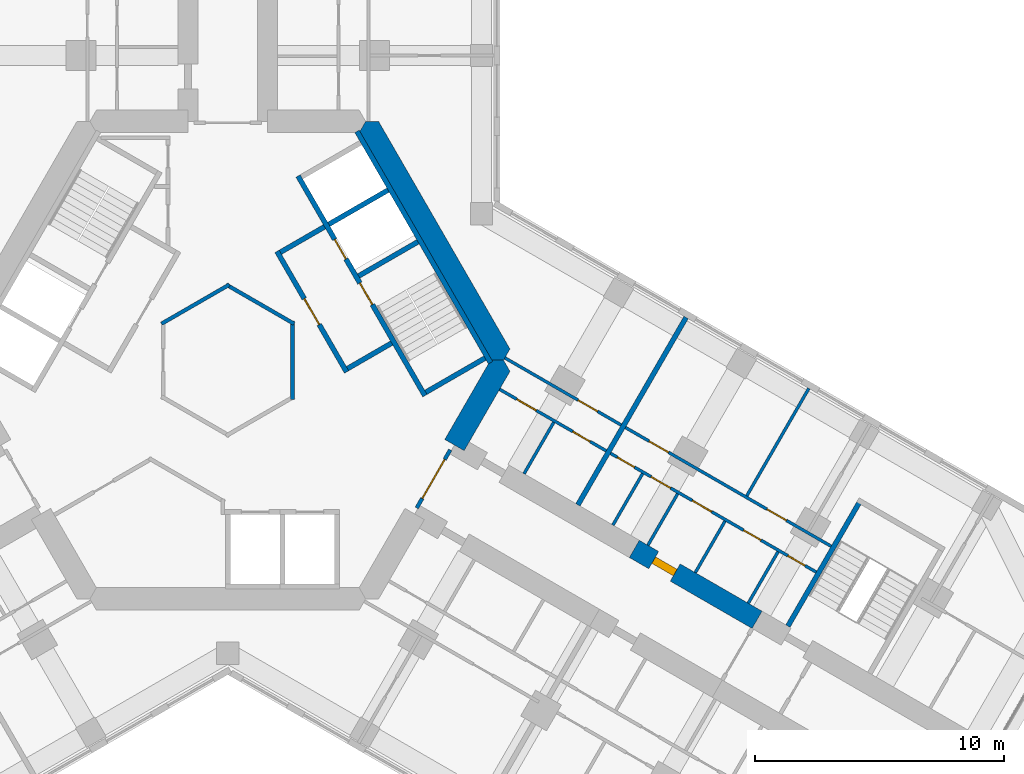
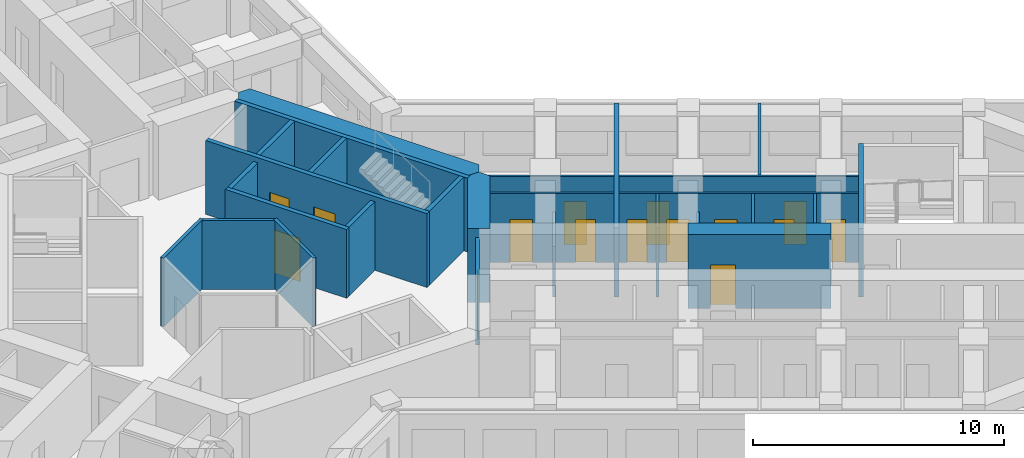
# One storey, part 15 of 19: 27 walls, 15 doors, 15 openings.
"""IFC4 building model written with IfcOpenShell, lengths in metres."""

import ifcopenshell
import ifcopenshell.guid

model = None  # the IFC model being written
_history = None  # IfcOwnerHistory: only IFC2X3 demands one
_inside = {}  # id of a spatial element -> (the spatial element, [elements in it])
_under = {}  # id of a project, library or spatial element -> (it, [spatial elements below it])
_declared = {}  # id of a project -> (the project, [libraries it declares])
_typed = {}  # id of a type object -> (the type object, [elements of that type])
_made_of = {}  # id of a material, layer set ... -> (it, [elements and type objects made of it])


def new_model(schema):
    """Start an empty IFC model of exactly this schema.

    Asked for "IFC4X3", IfcOpenShell would pick the latest addendum, in which some entities
    have other attributes; the version numbers below select the first issue.
    IFC2X3 requires an IfcOwnerHistory on every rooted entity: one is made here for all.
    """
    global model, _history
    if schema == "IFC4X3":
        model = ifcopenshell.file(schema_version=(4, 3, 0, 0))
    else:
        model = ifcopenshell.file(schema=schema)
    _inside.clear()
    _under.clear()
    _declared.clear()
    _typed.clear()
    _made_of.clear()
    _history = None
    if model.schema == "IFC2X3":
        org = make("IfcOrganization", Name="unknown")
        user = make(
            "IfcPersonAndOrganization",
            ThePerson=make("IfcPerson", FamilyName="unknown"),
            TheOrganization=org,
        )
        app = make(
            "IfcApplication",
            ApplicationDeveloper=org,
            Version="unknown",
            ApplicationFullName="unknown",
            ApplicationIdentifier="unknown",
        )
        _history = make(
            "IfcOwnerHistory",
            OwningUser=user,
            OwningApplication=app,
            ChangeAction="ADDED",
            CreationDate=0,
        )
    return model


def make(cls, **values):
    """One entity of the class cls with the attributes given. An attribute that is None is left unset."""
    return model.create_entity(
        cls, **{name: value for name, value in values.items() if value is not None}
    )


def rooted(cls, **values):
    """An entity with a GlobalId (a new one), such as an element, a storey or a relation."""
    return make(cls, GlobalId=ifcopenshell.guid.new(), OwnerHistory=_history, **values)


def si_unit(unit_type, name, prefix=None):
    """IfcSIUnit, for example si_unit("LENGTHUNIT", "METRE", prefix="MILLI")."""
    return make("IfcSIUnit", UnitType=unit_type, Prefix=prefix, Name=name)


def assignment(units):
    """IfcUnitAssignment: the units of a project."""
    return None if units is None else make("IfcUnitAssignment", Units=units)


def point(xyz):
    """IfcCartesianPoint."""
    return None if xyz is None else make("IfcCartesianPoint", Coordinates=xyz)


def direction(xyz):
    """IfcDirection."""
    return None if xyz is None else make("IfcDirection", DirectionRatios=xyz)


def frame(location, z_axis=None, x_axis=None):
    """IfcAxis2Placement3D, a coordinate frame: its origin and axes. An axis left out is left unset."""
    return make(
        "IfcAxis2Placement3D",
        Location=point(location),
        Axis=direction(z_axis),
        RefDirection=direction(x_axis),
    )


def frame_2d(location, x_axis=None):
    """IfcAxis2Placement2D, a coordinate frame in the plane: its origin and x axis."""
    return make(
        "IfcAxis2Placement2D", Location=point(location), RefDirection=direction(x_axis)
    )


def origin():
    """The frame at (0, 0, 0) with its axes left unset."""
    return frame((0.0, 0.0, 0.0))


def place(relative_to, where):
    """IfcLocalPlacement: puts the frame where relative to a parent placement (None: the world)."""
    return make(
        "IfcLocalPlacement", PlacementRelTo=relative_to, RelativePlacement=where
    )


def context(
    kind, dimensions, precision=None, world=None, true_north=None, identifier=None
):
    """IfcGeometricRepresentationContext, for example the 3D "Model" context."""
    return make(
        "IfcGeometricRepresentationContext",
        ContextIdentifier=identifier,
        ContextType=kind,
        CoordinateSpaceDimension=dimensions,
        Precision=precision,
        WorldCoordinateSystem=world,
        TrueNorth=true_north,
    )


def subcontext(parent, identifier, kind, view, scale=None):
    """IfcGeometricRepresentationSubContext, for example "Body" below "Model"."""
    return make(
        "IfcGeometricRepresentationSubContext",
        ContextIdentifier=identifier,
        ContextType=kind,
        ParentContext=parent,
        TargetScale=scale,
        TargetView=view,
    )


def project(units=None, contexts=None):
    """IfcProject with its units and contexts."""
    return rooted(
        "IfcProject",
        Name="project",
        RepresentationContexts=contexts,
        UnitsInContext=assignment(units),
    )


def spatial(cls, under=None, at=None, **own):
    """A site, building, storey or space (cls), placed at a placement, below another one or the project."""
    s = rooted(cls, ObjectPlacement=at, **own)
    if under is not None:
        _under.setdefault(under.id(), (under, []))[1].append(s)
    return s


def polyline(points):
    """IfcPolyline through the points."""
    return make("IfcPolyline", Points=[point(p) for p in points])


def profile(cls, at=None, kind="AREA", **sizes):
    """A parametric profile (cls). Its sizes go by their IFC names, for example OverallWidth=200.0."""
    return make(cls, ProfileType=kind, Position=at, **sizes)


def rectangle(**sizes):
    """IfcRectangleProfileDef."""
    return profile("IfcRectangleProfileDef", **sizes)


def outline(outer, holes=None, kind="AREA"):
    """IfcArbitraryClosedProfileDef: a profile drawn as a closed curve; with holes, ...WithVoids."""
    if holes is None:
        return make("IfcArbitraryClosedProfileDef", ProfileType=kind, OuterCurve=outer)
    return make(
        "IfcArbitraryProfileDefWithVoids",
        ProfileType=kind,
        OuterCurve=outer,
        InnerCurves=holes,
    )


def extrude(swept, where, along, depth):
    """IfcExtrudedAreaSolid: the profile swept, set in the frame where, extruded along a direction by depth."""
    return make(
        "IfcExtrudedAreaSolid",
        SweptArea=swept,
        Position=where,
        ExtrudedDirection=direction(along),
        Depth=depth,
    )


def shape(context_of_items, identifier, shape_type, items):
    """IfcShapeRepresentation: the items that make up one representation, for example the "Body"."""
    return make(
        "IfcShapeRepresentation",
        ContextOfItems=context_of_items,
        RepresentationIdentifier=identifier,
        RepresentationType=shape_type,
        Items=items,
    )


def material(Name=None, Category=None):
    """IfcMaterial."""
    return make("IfcMaterial", Name=Name, Category=Category)


def layer(
    of_material, thickness, ventilated=None, Name=None, Category=None, Priority=None
):
    """IfcMaterialLayer: one layer of a wall or slab, of a material (None: an air gap)."""
    return make(
        "IfcMaterialLayer",
        Material=of_material,
        LayerThickness=thickness,
        IsVentilated=ventilated,
        Name=Name,
        Category=Category,
        Priority=Priority,
    )


def layer_set(layers, Name=None):
    """IfcMaterialLayerSet."""
    return make("IfcMaterialLayerSet", MaterialLayers=layers, LayerSetName=Name)


def made_of(thing, what):
    """Note that an element or type object is made of a material, layer set ...; save() writes the relation."""
    if what is not None:
        _made_of.setdefault(what.id(), (what, []))[1].append(thing)
    return thing


def type_object(cls, material=None, **own):
    """A type object (cls), such as IfcWallType, which elements share."""
    return made_of(rooted(cls, **own), material)


def element(
    cls,
    number,
    at=None,
    inside=None,
    cuts=None,
    type_object=None,
    material=None,
    context=None,
    identifier="Body",
    shape_type=None,
    held_by="IfcProductDefinitionShape",
    body=None,
    shapes=None,
    **own,
):
    """One element of the class cls, such as IfcWall. Its Tag is "e" and its number.

    at: its placement. inside: the storey or other place that contains it. cuts: it is an
    opening in that element (IfcRelVoidsElement). A single representation is given by context,
    identifier, shape_type and body (its items); several are given by shapes. held_by: the class
    of the entity that holds the representations. save() writes the other relations.
    """
    e = rooted(cls, Tag="e%d" % number, ObjectPlacement=at, **own)
    if body is not None:
        shapes = [shape(context, identifier, shape_type, body)]
    if shapes is not None:
        e.Representation = make(held_by, Representations=shapes)
    if inside is not None:
        _inside.setdefault(inside.id(), (inside, []))[1].append(e)
    if cuts is not None:
        rooted(
            "IfcRelVoidsElement", RelatingBuildingElement=cuts, RelatedOpeningElement=e
        )
    if type_object is not None:
        _typed.setdefault(type_object.id(), (type_object, []))[1].append(e)
    return made_of(e, material)


def fill(opening, filler):
    """IfcRelFillsElement: the door or window that sits in an opening."""
    return rooted(
        "IfcRelFillsElement",
        RelatingOpeningElement=opening,
        RelatedBuildingElement=filler,
    )


def aggregate(whole, parts):
    """IfcRelAggregates: a whole, such as a stair, and the parts it consists of."""
    return rooted("IfcRelAggregates", RelatingObject=whole, RelatedObjects=parts)


def save(model, path):
    """Write the relations noted so far, then the file.

    IfcRelAggregates (storeys below a building ...), IfcRelContainedInSpatialStructure (elements
    in a storey), IfcRelDefinesByType, IfcRelAssociatesMaterial and IfcRelDeclares: one each for
    every whole, place, type object, material and project.
    """
    for whole, parts in _under.values():
        aggregate(whole, parts)
    for where, things in _inside.values():
        rooted(
            "IfcRelContainedInSpatialStructure",
            RelatedElements=things,
            RelatingStructure=where,
        )
    for kind, things in _typed.values():
        rooted("IfcRelDefinesByType", RelatedObjects=things, RelatingType=kind)
    for what, things in _made_of.values():
        rooted("IfcRelAssociatesMaterial", RelatedObjects=things, RelatingMaterial=what)
    for by, libraries in _declared.values():
        rooted("IfcRelDeclares", RelatingContext=by, RelatedDefinitions=libraries)
    model.write(path)


model = new_model("IFC4")

# Units and contexts
model_context = context("Model", 3, precision=1e-05, world=origin(), true_north=direction((0.0, 1.0)))
body_context = subcontext(model_context, "Body", "Model", "MODEL_VIEW")
ifc_project = project(units=[si_unit("LENGTHUNIT", "METRE"), si_unit("AREAUNIT", "SQUARE_METRE"), si_unit("VOLUMEUNIT", "CUBIC_METRE"), si_unit("PLANEANGLEUNIT", "RADIAN"), si_unit("MASSUNIT", "GRAM", prefix="KILO")], contexts=[model_context])

# Site, building, storey
site_placement = place(None, origin())
site = spatial("IfcSite", under=ifc_project, at=site_placement, CompositionType="ELEMENT")
building_placement = place(site_placement, origin())
building = spatial("IfcBuilding", under=site, at=building_placement, Name="Kosmar Iwan School Tower", CompositionType="ELEMENT")
storey_placement = place(building_placement, frame((0.0, 0.0, 134.60009765625)))
storey = spatial("IfcBuildingStorey", under=building, at=storey_placement, Name="L33", CompositionType="ELEMENT", Elevation=134.60009765625)

# Walls
ifc_material_1 = material(Name="Gypsum board on steel studs, fire-rated", Category="steel")
ifc_layer_1 = layer(ifc_material_1, 0.14990234375)
ifc_layer_set_1 = layer_set([ifc_layer_1], Name="Core room partition 150")
wall_type_1 = type_object("IfcWallType", Name="Core room partition 150", PredefinedType="PARTITIONING", material=ifc_layer_set_1)
for number, where, z_axis, x_axis, name in (
    (1, (-2.6650390625, 1.463623046875, 0.0), (0.0, 0.0, 1.0), (0.866023080072, 0.500004024767, 0.0), "Core room partition L33-CW11"),
    (2, (-0.06494140625, 3.039794921875, 0.0), (0.0, 0.0, 1.0), (0.866023080072, -0.500004024767, 0.0), "Core room partition L33-CW12"),
    (3, (2.60009765625, 1.576171875, 0.0), (0.0, 0.0, 1.0), (0.0, -1.0, 0.0), "Core room partition L33-CW13"),
):
    element("IfcWall", number, at=place(storey_placement, frame(where, z_axis=z_axis, x_axis=x_axis)), inside=storey, type_object=wall_type_1, Name=name, PredefinedType="PARTITIONING", context=body_context, shape_type="SweptSolid", body=[
        extrude(rectangle(XDim=3.15234375, YDim=0.14990234375, at=frame_2d((1.576171875, 0.0))), origin(), (0.0, 0.0, 1.0), 3.349853515625),
    ])
ifc_material_2 = material(Name="Concrete C50/60", Category="concrete")
ifc_layer_2 = layer(ifc_material_2, 0.89990234375)
ifc_layer_set_2 = layer_set([ifc_layer_2], Name="Core wall 900")
wall_type_2 = type_object("IfcWallType", Name="Core wall 900", PredefinedType="SHEAR", material=ifc_layer_set_2)
wall_1_placement = place(storey_placement, origin())
element("IfcWall", 4, at=wall_1_placement, inside=storey, type_object=wall_type_2, Name="Core wall F030", PredefinedType="SHEAR", context=body_context, shape_type="SweptSolid", body=[
    extrude(outline(polyline([(10.5654296875, 0.0), (11.085205078125, 0.0), (11.344970703125, 0.449951171875), (6.062255859375, 9.60009765625), (5.54248046875, 9.60009765625), (5.28271484375, 9.14990234375), (10.5654296875, 0.0)])), origin(), (0.0, 0.0, 1.0), 3.599853515625),
])
wall_2_placement = place(storey_placement, origin())
element("IfcWall", 5, at=wall_2_placement, inside=storey, type_object=wall_type_2, Name="Core wall F330b", PredefinedType="SHEAR", context=body_context, shape_type="SweptSolid", body=[
    extrude(outline(polyline([(9.503662109375, -3.639404296875), (11.344970703125, -0.449951171875), (11.085205078125, 0.0), (10.5654296875, 0.0), (8.72412109375, -3.189453125), (9.503662109375, -3.639404296875)])), origin(), (0.0, 0.0, 1.0), 3.599853515625),
])

# Wall, opening, door
ifc_material_3 = material(Name="Concrete C50/60", Category="concrete")
ifc_layer_3 = layer(ifc_material_3, 0.800048828125)
ifc_layer_set_3 = layer_set([ifc_layer_3], Name="Corridor buttress wall 800")
wall_type_3 = type_object("IfcWallType", Name="Corridor buttress wall 800", PredefinedType="SHEAR", material=ifc_layer_set_3)
wall_3_placement = place(storey_placement, frame((16.34521484375, -7.58935546875, 0.0), z_axis=(0.0, 0.0, 1.0), x_axis=(0.866015111908, -0.50001782563, 0.0)))
wall_3 = element("IfcWall", 6, at=wall_3_placement, inside=storey, type_object=wall_type_3, Name="Corridor wall CL bay 2", PredefinedType="SHEAR", context=body_context, shape_type="SweptSolid", body=[
    extrude(rectangle(XDim=5.699951171875, YDim=0.800048828125, at=frame_2d((2.85009765625, 0.0))), origin(), (0.0, 0.0, 1.0), 3.599853515625),
])
opening_1_placement = place(wall_3_placement, frame((0.89990234375, 0.0, 0.0)))
opening_1 = element("IfcOpeningElement", 7, at=opening_1_placement, cuts=wall_3, Name="Opening D1", PredefinedType="OPENING", context=body_context, shape_type="SweptSolid", body=[
    extrude(rectangle(XDim=1.0, YDim=2.10009765625, at=frame_2d((0.5, 1.050048828125))), frame((0.0, 0.412109375, 0.0), z_axis=(0.0, -1.0, 0.0), x_axis=(1.0, 0.0, 0.0)), (0.0, 0.0, 1.0), 0.823974609375),
])
ifc_material_4 = material(Name="Timber fire door in steel frame", Category="steel")
door_type_1 = type_object("IfcDoorType", Name="Flat entrance door 1000x2100", OperationType="SINGLE_SWING_LEFT", PredefinedType="DOOR", material=ifc_material_4)
door_1_placement = place(opening_1_placement, origin())
door_1 = element("IfcDoor", 8, at=door_1_placement, inside=storey, type_object=door_type_1, Name="Flat L33-CL2 entrance door", OperationType="SINGLE_SWING_LEFT", OverallHeight=2.10009765625, OverallWidth=1.0, PredefinedType="DOOR", context=body_context, shape_type="SweptSolid", body=[
    extrude(rectangle(XDim=1.0, YDim=2.10009765625, at=frame_2d((0.5, 1.050048828125))), frame((0.0, 0.14990234375, 0.0), z_axis=(0.0, -1.0, 0.0), x_axis=(1.0, 0.0, 0.0)), (0.0, 0.0, 1.0), 0.300048828125),
])
fill(opening_1, door_1)

ifc_material_5 = material(Name="Steel framed glazed screen", Category="steel")
ifc_layer_4 = layer(ifc_material_5, 0.14990234375)
ifc_layer_set_4 = layer_set([ifc_layer_4], Name="Corridor screen wall 150")
wall_type_4 = type_object("IfcWallType", Name="Corridor screen wall 150", PredefinedType="PARTITIONING", material=ifc_layer_set_4)
wall_4_placement = place(storey_placement, frame((7.595458984375, -5.944091796875, 0.0), z_axis=(0.0, 0.0, 1.0), x_axis=(0.500048589285, 0.86599734893, 0.0)))
wall_4 = element("IfcWall", 9, at=wall_4_placement, inside=storey, type_object=wall_type_4, Name="Corridor screen C L33", PredefinedType="PARTITIONING", context=body_context, shape_type="SweptSolid", body=[
    extrude(rectangle(XDim=2.699951171875, YDim=0.14990234375, at=frame_2d((1.35009765625, 0.0))), origin(), (0.0, 0.0, 1.0), 3.349853515625),
])
opening_2_placement = place(wall_4_placement, frame((0.449951171875, 0.0, 0.0)))
opening_2 = element("IfcOpeningElement", 10, at=opening_2_placement, cuts=wall_4, Name="Opening D9", PredefinedType="OPENING", context=body_context, shape_type="SweptSolid", body=[
    extrude(rectangle(XDim=1.800048828125, YDim=2.10009765625, at=frame_2d((0.89990234375, 1.050048828125))), frame((0.0, 0.0869140625, 0.0), z_axis=(0.0, -1.0, 0.0), x_axis=(1.0, 0.0, 0.0)), (0.0, 0.0, 1.0), 0.173828125),
])
ifc_material_6 = material(Name="Steel framed glazed smoke door", Category="steel")
door_type_2 = type_object("IfcDoorType", Name="Corridor smoke door pair 1800x2100", OperationType="DOUBLE_DOOR_DOUBLE_SWING", PredefinedType="DOOR", material=ifc_material_6)
door_2_placement = place(opening_2_placement, origin())
door_2 = element("IfcDoor", 11, at=door_2_placement, inside=storey, type_object=door_type_2, Name="Corridor doors C L33", OperationType="DOUBLE_DOOR_DOUBLE_SWING", OverallHeight=2.10009765625, OverallWidth=1.800048828125, PredefinedType="DOOR", context=body_context, shape_type="SweptSolid", body=[
    extrude(rectangle(XDim=1.800048828125, YDim=2.10009765625, at=frame_2d((0.89990234375, 1.050048828125))), frame((0.0, 0.02490234375, 0.0), z_axis=(0.0, -1.0, 0.0), x_axis=(1.0, 0.0, 0.0)), (0.0, 0.0, 1.0), 0.050048828125),
])
fill(opening_2, door_2)

# Wall, openings, doors
ifc_material_7 = material(Name="Gypsum board on steel studs", Category="steel")
ifc_layer_5 = layer(ifc_material_7, 0.1201171875)
ifc_layer_set_5 = layer_set([ifc_layer_5], Name="Dwelling partition 120")
wall_type_5 = type_object("IfcWallType", Name="Dwelling partition 120", PredefinedType="PARTITIONING", material=ifc_layer_set_5)
wall_5_placement = place(storey_placement, frame((10.928466796875, -1.171142578125, 0.0), z_axis=(0.0, 0.0, 1.0), x_axis=(0.866018855338, -0.500011342071, 0.0)))
wall_5 = element("IfcWall", 12, at=wall_5_placement, inside=storey, type_object=wall_type_5, Name="Partition L33-CL1-W1", PredefinedType="PARTITIONING", context=body_context, shape_type="SweptSolid", body=[
    extrude(rectangle(XDim=4.9501953125, YDim=0.1201171875, at=frame_2d((2.47509765625, 0.0))), origin(), (0.0, 0.0, 1.0), 3.349853515625),
])
opening_3_placement = place(wall_5_placement, frame((0.800048828125, 0.0, 0.0)))
opening_3 = element("IfcOpeningElement", 13, at=opening_3_placement, cuts=wall_5, Name="Opening D2", PredefinedType="OPENING", context=body_context, shape_type="SweptSolid", body=[
    extrude(rectangle(XDim=0.89990234375, YDim=2.10009765625, at=frame_2d((0.449951171875, 1.050048828125))), frame((0.0, 0.072021484375, 0.0), z_axis=(0.0, -1.0, 0.0), x_axis=(1.0, 0.0, 0.0)), (0.0, 0.0, 1.0), 0.14404296875),
])
opening_4_placement = place(wall_5_placement, frame((3.39990234375, 0.0, 0.0)))
opening_4 = element("IfcOpeningElement", 14, at=opening_4_placement, cuts=wall_5, Name="Opening D3", PredefinedType="OPENING", context=body_context, shape_type="SweptSolid", body=[
    extrude(rectangle(XDim=0.800048828125, YDim=2.10009765625, at=frame_2d((0.39990234375, 1.050048828125))), frame((0.0, 0.072021484375, 0.0), z_axis=(0.0, -1.0, 0.0), x_axis=(1.0, 0.0, 0.0)), (0.0, 0.0, 1.0), 0.14404296875),
])
ifc_material_8 = material(Name="Timber door in timber frame", Category="wood")
door_type_3 = type_object("IfcDoorType", Name="Internal door 900x2100", OperationType="SINGLE_SWING_LEFT", PredefinedType="DOOR", material=ifc_material_8)
door_3_placement = place(opening_3_placement, origin())
door_3 = element("IfcDoor", 15, at=door_3_placement, inside=storey, type_object=door_type_3, Name="Entrance hall door L33-CL1-S1", OperationType="SINGLE_SWING_LEFT", OverallHeight=2.10009765625, OverallWidth=0.89990234375, PredefinedType="DOOR", context=body_context, shape_type="SweptSolid", body=[
    extrude(rectangle(XDim=0.89990234375, YDim=2.10009765625, at=frame_2d((0.449951171875, 1.050048828125))), frame((0.0, 0.02490234375, 0.0), z_axis=(0.0, -1.0, 0.0), x_axis=(1.0, 0.0, 0.0)), (0.0, 0.0, 1.0), 0.050048828125),
])
fill(opening_3, door_3)
ifc_material_9 = material(Name="Timber door in timber frame", Category="wood")
door_type_4 = type_object("IfcDoorType", Name="Sanitary room door 800x2100", OperationType="SINGLE_SWING_LEFT", PredefinedType="DOOR", material=ifc_material_9)
door_4_placement = place(opening_4_placement, origin())
door_4 = element("IfcDoor", 16, at=door_4_placement, inside=storey, type_object=door_type_4, Name="Bathroom door L33-CL1-S2", OperationType="SINGLE_SWING_RIGHT", OverallHeight=2.10009765625, OverallWidth=0.800048828125, PredefinedType="DOOR", context=body_context, shape_type="SweptSolid", body=[
    extrude(rectangle(XDim=0.800048828125, YDim=2.10009765625, at=frame_2d((0.39990234375, 1.050048828125))), frame((0.0, 0.02490234375, 0.0), z_axis=(0.0, -1.0, 0.0), x_axis=(1.0, 0.0, 0.0)), (0.0, 0.0, 1.0), 0.050048828125),
])
fill(opening_4, door_4)

# Wall, opening, door
wall_6_placement = place(storey_placement, frame((11.138916015625, 0.093017578125, 0.0), z_axis=(0.0, 0.0, 1.0), x_axis=(0.866028230842, -0.499995103361, 0.0)))
wall_6 = element("IfcWall", 17, at=wall_6_placement, inside=storey, type_object=wall_type_5, Name="Partition L33-CL1-W2", PredefinedType="PARTITIONING", context=body_context, shape_type="SweptSolid", body=[
    extrude(rectangle(XDim=5.39990234375, YDim=0.1201171875, at=frame_2d((2.699951171875, 0.0))), origin(), (0.0, 0.0, 1.0), 3.349853515625),
])
opening_5_placement = place(wall_6_placement, frame((3.39990234375, 0.0, 0.0)))
opening_5 = element("IfcOpeningElement", 18, at=opening_5_placement, cuts=wall_6, Name="Opening D2", PredefinedType="OPENING", context=body_context, shape_type="SweptSolid", body=[
    extrude(rectangle(XDim=0.89990234375, YDim=2.10009765625, at=frame_2d((0.449951171875, 1.050048828125))), frame((0.0, 0.072021484375, 0.0), z_axis=(0.0, -1.0, 0.0), x_axis=(1.0, 0.0, 0.0)), (0.0, 0.0, 1.0), 0.14404296875),
])
door_5_placement = place(opening_5_placement, origin())
door_5 = element("IfcDoor", 19, at=door_5_placement, inside=storey, type_object=door_type_3, Name="Studio living room and kitchen door L33-CL1-F1", OperationType="SINGLE_SWING_RIGHT", OverallHeight=2.10009765625, OverallWidth=0.89990234375, PredefinedType="DOOR", context=body_context, shape_type="SweptSolid", body=[
    extrude(rectangle(XDim=0.89990234375, YDim=2.10009765625, at=frame_2d((0.449951171875, 1.050048828125))), frame((0.0, 0.02490234375, 0.0), z_axis=(0.0, -1.0, 0.0), x_axis=(1.0, 0.0, 0.0)), (0.0, 0.0, 1.0), 0.050048828125),
])
fill(opening_5, door_5)

# Wall
wall_7_placement = place(storey_placement, frame((11.911865234375, -4.56787109375, 0.0), z_axis=(0.0, 0.0, 1.0), x_axis=(0.500017192868, 0.86601547725, 0.0)))
element("IfcWall", 20, at=wall_7_placement, inside=storey, type_object=wall_type_5, Name="Partition L33-CL1-Y1", PredefinedType="PARTITIONING", context=body_context, shape_type="SweptSolid", body=[
    extrude(rectangle(XDim=2.39013671875, YDim=0.1201171875, at=frame_2d((1.195068359375, 0.0))), origin(), (0.0, 0.0, 1.0), 2.449951171875),
])

# Wall, openings, doors
wall_8_placement = place(storey_placement, frame((15.388671875, -3.74609375, 0.0), z_axis=(0.0, 0.0, 1.0), x_axis=(0.866017851049, -0.500013081493, 0.0)))
wall_8 = element("IfcWall", 21, at=wall_8_placement, inside=storey, type_object=wall_type_5, Name="Partition L33-CL2-W1", PredefinedType="PARTITIONING", context=body_context, shape_type="SweptSolid", body=[
    extrude(rectangle(XDim=9.550048828125, YDim=0.1201171875, at=frame_2d((4.77490234375, 0.0))), origin(), (0.0, 0.0, 1.0), 3.349853515625),
])
opening_6_placement = place(wall_8_placement, frame((0.3125, 0.0, 0.0)))
opening_6 = element("IfcOpeningElement", 22, at=opening_6_placement, cuts=wall_8, Name="Opening D3", PredefinedType="OPENING", context=body_context, shape_type="SweptSolid", body=[
    extrude(rectangle(XDim=0.800048828125, YDim=2.10009765625, at=frame_2d((0.39990234375, 1.050048828125))), frame((0.0, 0.072021484375, 0.0), z_axis=(0.0, -1.0, 0.0), x_axis=(1.0, 0.0, 0.0)), (0.0, 0.0, 1.0), 0.14404296875),
])
opening_7_placement = place(wall_8_placement, frame((1.887451171875, 0.0, 0.0)))
opening_7 = element("IfcOpeningElement", 23, at=opening_7_placement, cuts=wall_8, Name="Opening D2", PredefinedType="OPENING", context=body_context, shape_type="SweptSolid", body=[
    extrude(rectangle(XDim=0.89990234375, YDim=2.10009765625, at=frame_2d((0.449951171875, 1.050048828125))), frame((0.0, 0.072021484375, 0.0), z_axis=(0.0, -1.0, 0.0), x_axis=(1.0, 0.0, 0.0)), (0.0, 0.0, 1.0), 0.14404296875),
])
opening_8_placement = place(wall_8_placement, frame((3.800048828125, 0.0, 0.0)))
opening_8 = element("IfcOpeningElement", 24, at=opening_8_placement, cuts=wall_8, Name="Opening D2", PredefinedType="OPENING", context=body_context, shape_type="SweptSolid", body=[
    extrude(rectangle(XDim=0.89990234375, YDim=2.10009765625, at=frame_2d((0.449951171875, 1.050048828125))), frame((0.0, 0.072021484375, 0.0), z_axis=(0.0, -1.0, 0.0), x_axis=(1.0, 0.0, 0.0)), (0.0, 0.0, 1.0), 0.14404296875),
])
opening_9_placement = place(wall_8_placement, frame((6.179931640625, 0.0, 0.0)))
opening_9 = element("IfcOpeningElement", 25, at=opening_9_placement, cuts=wall_8, Name="Opening D3", PredefinedType="OPENING", context=body_context, shape_type="SweptSolid", body=[
    extrude(rectangle(XDim=0.800048828125, YDim=2.10009765625, at=frame_2d((0.39990234375, 1.050048828125))), frame((0.0, 0.072021484375, 0.0), z_axis=(0.0, -1.0, 0.0), x_axis=(1.0, 0.0, 0.0)), (0.0, 0.0, 1.0), 0.14404296875),
])
opening_10_placement = place(wall_8_placement, frame((8.22998046875, 0.0, 0.0)))
opening_10 = element("IfcOpeningElement", 26, at=opening_10_placement, cuts=wall_8, Name="Opening D3", PredefinedType="OPENING", context=body_context, shape_type="SweptSolid", body=[
    extrude(rectangle(XDim=0.800048828125, YDim=2.10009765625, at=frame_2d((0.39990234375, 1.050048828125))), frame((0.0, 0.072021484375, 0.0), z_axis=(0.0, -1.0, 0.0), x_axis=(1.0, 0.0, 0.0)), (0.0, 0.0, 1.0), 0.14404296875),
])
door_6_placement = place(opening_7_placement, frame((0.89990234375, 0.0, 0.0), z_axis=(0.0, 0.0, 1.0), x_axis=(-1.0, 0.0, 0.0)))
door_6 = element("IfcDoor", 27, at=door_6_placement, inside=storey, type_object=door_type_3, Name="Pantry door L33-CL2-S2", OperationType="SINGLE_SWING_RIGHT", OverallHeight=2.10009765625, OverallWidth=0.89990234375, PredefinedType="DOOR", context=body_context, shape_type="SweptSolid", body=[
    extrude(rectangle(XDim=0.89990234375, YDim=2.10009765625, at=frame_2d((0.449951171875, 1.050048828125))), frame((0.0, 0.02490234375, 0.0), z_axis=(0.0, -1.0, 0.0), x_axis=(1.0, 0.0, 0.0)), (0.0, 0.0, 1.0), 0.050048828125),
])
fill(opening_7, door_6)
door_7_placement = place(opening_8_placement, origin())
door_7 = element("IfcDoor", 28, at=door_7_placement, inside=storey, type_object=door_type_3, Name="Entrance hall door L33-CL2-S3", OperationType="SINGLE_SWING_LEFT", OverallHeight=2.10009765625, OverallWidth=0.89990234375, PredefinedType="DOOR", context=body_context, shape_type="SweptSolid", body=[
    extrude(rectangle(XDim=0.89990234375, YDim=2.10009765625, at=frame_2d((0.449951171875, 1.050048828125))), frame((0.0, 0.02490234375, 0.0), z_axis=(0.0, -1.0, 0.0), x_axis=(1.0, 0.0, 0.0)), (0.0, 0.0, 1.0), 0.050048828125),
])
fill(opening_8, door_7)
door_8_placement = place(opening_6_placement, origin())
door_8 = element("IfcDoor", 29, at=door_8_placement, inside=storey, type_object=door_type_4, Name="Store door L33-CL2-S1", OperationType="SINGLE_SWING_LEFT", OverallHeight=2.10009765625, OverallWidth=0.800048828125, PredefinedType="DOOR", context=body_context, shape_type="SweptSolid", body=[
    extrude(rectangle(XDim=0.800048828125, YDim=2.10009765625, at=frame_2d((0.39990234375, 1.050048828125))), frame((0.0, 0.02490234375, 0.0), z_axis=(0.0, -1.0, 0.0), x_axis=(1.0, 0.0, 0.0)), (0.0, 0.0, 1.0), 0.050048828125),
])
fill(opening_6, door_8)
door_9_placement = place(opening_9_placement, origin())
door_9 = element("IfcDoor", 30, at=door_9_placement, inside=storey, type_object=door_type_4, Name="Bathroom door L33-CL2-S4", OperationType="SINGLE_SWING_RIGHT", OverallHeight=2.10009765625, OverallWidth=0.800048828125, PredefinedType="DOOR", context=body_context, shape_type="SweptSolid", body=[
    extrude(rectangle(XDim=0.800048828125, YDim=2.10009765625, at=frame_2d((0.39990234375, 1.050048828125))), frame((0.0, 0.02490234375, 0.0), z_axis=(0.0, -1.0, 0.0), x_axis=(1.0, 0.0, 0.0)), (0.0, 0.0, 1.0), 0.050048828125),
])
fill(opening_9, door_9)
door_10_placement = place(opening_10_placement, origin())
door_10 = element("IfcDoor", 31, at=door_10_placement, inside=storey, type_object=door_type_4, Name="WC door L33-CL2-S5", OperationType="SINGLE_SWING_RIGHT", OverallHeight=2.10009765625, OverallWidth=0.800048828125, PredefinedType="DOOR", context=body_context, shape_type="SweptSolid", body=[
    extrude(rectangle(XDim=0.800048828125, YDim=2.10009765625, at=frame_2d((0.39990234375, 1.050048828125))), frame((0.0, 0.02490234375, 0.0), z_axis=(0.0, -1.0, 0.0), x_axis=(1.0, 0.0, 0.0)), (0.0, 0.0, 1.0), 0.050048828125),
])
fill(opening_10, door_10)

wall_9_placement = place(storey_placement, frame((15.988525390625, -2.70703125, 0.0), z_axis=(0.0, 0.0, 1.0), x_axis=(0.866028920859, -0.499993908199, 0.0)))
wall_9 = element("IfcWall", 32, at=wall_9_placement, inside=storey, type_object=wall_type_5, Name="Partition L33-CL2-W2", PredefinedType="PARTITIONING", context=body_context, shape_type="SweptSolid", body=[
    extrude(rectangle(XDim=9.5498046875, YDim=0.1201171875, at=frame_2d((4.77490234375, 0.0))), origin(), (0.0, 0.0, 1.0), 3.349853515625),
])
opening_11_placement = place(wall_9_placement, frame((1.10009765625, 0.0, 0.0)))
opening_11 = element("IfcOpeningElement", 33, at=opening_11_placement, cuts=wall_9, Name="Opening D2", PredefinedType="OPENING", context=body_context, shape_type="SweptSolid", body=[
    extrude(rectangle(XDim=0.89990234375, YDim=2.10009765625, at=frame_2d((0.449951171875, 1.050048828125))), frame((0.0, 0.072021484375, 0.0), z_axis=(0.0, -1.0, 0.0), x_axis=(1.0, 0.0, 0.0)), (0.0, 0.0, 1.0), 0.14404296875),
])
opening_12_placement = place(wall_9_placement, frame((6.574951171875, 0.0, 0.0)))
opening_12 = element("IfcOpeningElement", 34, at=opening_12_placement, cuts=wall_9, Name="Opening D2", PredefinedType="OPENING", context=body_context, shape_type="SweptSolid", body=[
    extrude(rectangle(XDim=0.89990234375, YDim=2.10009765625, at=frame_2d((0.449951171875, 1.050048828125))), frame((0.0, 0.072021484375, 0.0), z_axis=(0.0, -1.0, 0.0), x_axis=(1.0, 0.0, 0.0)), (0.0, 0.0, 1.0), 0.14404296875),
])
door_11_placement = place(opening_11_placement, origin())
door_11 = element("IfcDoor", 35, at=door_11_placement, inside=storey, type_object=door_type_3, Name="Family room and kitchen door L33-CL2-F1", OperationType="SINGLE_SWING_LEFT", OverallHeight=2.10009765625, OverallWidth=0.89990234375, PredefinedType="DOOR", context=body_context, shape_type="SweptSolid", body=[
    extrude(rectangle(XDim=0.89990234375, YDim=2.10009765625, at=frame_2d((0.449951171875, 1.050048828125))), frame((0.0, 0.02490234375, 0.0), z_axis=(0.0, -1.0, 0.0), x_axis=(1.0, 0.0, 0.0)), (0.0, 0.0, 1.0), 0.050048828125),
])
fill(opening_11, door_11)
door_12_placement = place(opening_12_placement, origin())
door_12 = element("IfcDoor", 36, at=door_12_placement, inside=storey, type_object=door_type_3, Name="Bedroom 1 door L33-CL2-F2", OperationType="SINGLE_SWING_LEFT", OverallHeight=2.10009765625, OverallWidth=0.89990234375, PredefinedType="DOOR", context=body_context, shape_type="SweptSolid", body=[
    extrude(rectangle(XDim=0.89990234375, YDim=2.10009765625, at=frame_2d((0.449951171875, 1.050048828125))), frame((0.0, 0.02490234375, 0.0), z_axis=(0.0, -1.0, 0.0), x_axis=(1.0, 0.0, 0.0)), (0.0, 0.0, 1.0), 0.050048828125),
])
fill(opening_12, door_12)

# Walls
wall_10_placement = place(storey_placement, frame((20.868408203125, -5.455078125, 0.0), z_axis=(0.0, 0.0, 1.0), x_axis=(0.499975153383, 0.86603974851, 0.0)))
element("IfcWall", 37, at=wall_10_placement, inside=storey, type_object=wall_type_5, Name="Partition L33-CL2-X1", PredefinedType="PARTITIONING", context=body_context, shape_type="SweptSolid", body=[
    extrude(rectangle(XDim=4.989990234375, YDim=0.1201171875, at=frame_2d((2.4951171875, 0.0))), origin(), (0.0, 0.0, 1.0), 3.349853515625),
])
wall_11_placement = place(storey_placement, frame((15.484375, -6.63037109375, 0.0), z_axis=(0.0, 0.0, 1.0), x_axis=(0.499940577336, 0.866059708757, 0.0)))
element("IfcWall", 38, at=wall_11_placement, inside=storey, type_object=wall_type_5, Name="Partition L33-CL2-Y1", PredefinedType="PARTITIONING", context=body_context, shape_type="SweptSolid", body=[
    extrude(rectangle(XDim=2.389892578125, YDim=0.1201171875, at=frame_2d((1.19482421875, 0.0))), origin(), (0.0, 0.0, 1.0), 3.349853515625),
])
wall_12_placement = place(storey_placement, frame((16.8916015625, -7.44287109375, 0.0), z_axis=(0.0, 0.0, 1.0), x_axis=(0.500017192868, 0.86601547725, 0.0)))
element("IfcWall", 39, at=wall_12_placement, inside=storey, type_object=wall_type_5, Name="Partition L33-CL2-Y2", PredefinedType="PARTITIONING", context=body_context, shape_type="SweptSolid", body=[
    extrude(rectangle(XDim=2.39013671875, YDim=0.1201171875, at=frame_2d((1.195068359375, 0.0))), origin(), (0.0, 0.0, 1.0), 2.449951171875),
])
for number, where, z_axis, x_axis, name in (
    (40, (18.796875, -8.54296875, 0.0), (0.0, 0.0, 1.0), (0.500017192868, 0.86601547725, 0.0), "Partition L33-CL2-Y3"),
    (41, (20.92724609375, -9.77294921875, 0.0), (0.0, 0.0, 1.0), (0.500017192868, 0.86601547725, 0.0), "Partition L33-CL2-Y4"),
):
    element("IfcWall", number, at=place(storey_placement, frame(where, z_axis=z_axis, x_axis=x_axis)), inside=storey, type_object=wall_type_5, Name=name, PredefinedType="PARTITIONING", context=body_context, shape_type="SweptSolid", body=[
        extrude(rectangle(XDim=2.39013671875, YDim=0.1201171875, at=frame_2d((1.195068359375, 0.0))), origin(), (0.0, 0.0, 1.0), 3.349853515625),
    ])
ifc_material_10 = material(Name="Concrete C35/45", Category="concrete")
ifc_layer_6 = layer(ifc_material_10, 0.199951171875)
ifc_layer_set_6 = layer_set([ifc_layer_6], Name="Escape stair wall 200")
wall_type_6 = type_object("IfcWallType", Name="Escape stair wall 200", PredefinedType="SHEAR", material=ifc_layer_set_6)
wall_13_placement = place(storey_placement, frame((22.520751953125, -10.69287109375, 0.0), z_axis=(0.0, 0.0, 1.0), x_axis=(0.500006628179, 0.86602157697, 0.0)))
element("IfcWall", 42, at=wall_13_placement, inside=storey, type_object=wall_type_6, Name="Stair WS3 wall", PredefinedType="SHEAR", context=body_context, shape_type="SweptSolid", body=[
    extrude(rectangle(XDim=5.89990234375, YDim=0.199951171875, at=frame_2d((2.949951171875, 0.0))), origin(), (0.0, 0.0, 1.0), 3.329833984375),
])

# Wall, opening, door
ifc_material_11 = material(Name="Concrete block masonry", Category="masonry")
ifc_layer_7 = layer(ifc_material_11, 0.199951171875)
ifc_layer_set_7 = layer_set([ifc_layer_7], Name="Fire lobby wall 200")
wall_type_7 = type_object("IfcWallType", Name="Fire lobby wall 200", PredefinedType="PARTITIONING", material=ifc_layer_set_7)
wall_14_placement = place(storey_placement, frame((4.777587890625, -0.474853515625, 0.0), z_axis=(0.0, 0.0, 1.0), x_axis=(-0.500016814911, 0.866015695474, 0.0)))
wall_14 = element("IfcWall", 43, at=wall_14_placement, inside=storey, type_object=wall_type_7, Name="Firefighting lobby wall ST1", PredefinedType="PARTITIONING", context=body_context, shape_type="SweptSolid", body=[
    extrude(rectangle(XDim=5.599853515625, YDim=0.199951171875, at=frame_2d((2.7998046875, 0.0))), origin(), (0.0, 0.0, 1.0), 3.349853515625),
])
opening_13_placement = place(wall_14_placement, frame((2.199951171875, 0.0, 0.0)))
opening_13 = element("IfcOpeningElement", 44, at=opening_13_placement, cuts=wall_14, Name="Opening D7", PredefinedType="OPENING", context=body_context, shape_type="SweptSolid", body=[
    extrude(rectangle(XDim=1.199951171875, YDim=2.10009765625, at=frame_2d((0.60009765625, 1.050048828125))), frame((0.0, 0.112060546875, 0.0), z_axis=(0.0, -1.0, 0.0), x_axis=(1.0, 0.0, 0.0)), (0.0, 0.0, 1.0), 0.223876953125),
])
ifc_material_12 = material(Name="Steel fire door", Category="steel")
door_type_5 = type_object("IfcDoorType", Name="Fire lobby door 1200x2100", OperationType="SINGLE_SWING_LEFT", PredefinedType="DOOR", material=ifc_material_12)
door_13_placement = place(opening_13_placement, frame((1.199951171875, 0.0, 0.0), z_axis=(0.0, 0.0, 1.0), x_axis=(-1.0, 0.0, 0.0)))
door_13 = element("IfcDoor", 45, at=door_13_placement, inside=storey, type_object=door_type_5, Name="Firefighting lobby door ST1 L33", OperationType="SINGLE_SWING_RIGHT", OverallHeight=2.10009765625, OverallWidth=1.199951171875, PredefinedType="DOOR", context=body_context, shape_type="SweptSolid", body=[
    extrude(rectangle(XDim=1.199951171875, YDim=2.10009765625, at=frame_2d((0.60009765625, 1.050048828125))), frame((0.0, 0.02490234375, 0.0), z_axis=(0.0, -1.0, 0.0), x_axis=(1.0, 0.0, 0.0)), (0.0, 0.0, 1.0), 0.050048828125),
])
fill(opening_13, door_13)

# Walls
wall_15_placement = place(storey_placement, frame((4.814208984375, -0.33837890625, 0.0), z_axis=(0.0, 0.0, 1.0), x_axis=(0.865969381856, 0.500097020274, 0.0)))
element("IfcWall", 46, at=wall_15_placement, inside=storey, type_object=wall_type_7, Name="Firefighting lobby wall ST1", PredefinedType="PARTITIONING", context=body_context, shape_type="SweptSolid", body=[
    extrude(rectangle(XDim=2.0498046875, YDim=0.199951171875, at=frame_2d((1.02490234375, 0.0))), origin(), (0.0, 0.0, 1.0), 3.349853515625),
])
wall_16_placement = place(storey_placement, frame((2.114013671875, 4.33837890625, 0.0), z_axis=(0.0, 0.0, 1.0), x_axis=(0.866050731258, 0.499956128963, 0.0)))
element("IfcWall", 47, at=wall_16_placement, inside=storey, type_object=wall_type_7, Name="Firefighting lobby wall ST1", PredefinedType="PARTITIONING", context=body_context, shape_type="SweptSolid", body=[
    extrude(rectangle(XDim=2.050048828125, YDim=0.199951171875, at=frame_2d((1.02490234375, 0.0))), origin(), (0.0, 0.0, 1.0), 3.349853515625),
])

# Wall, openings, doors
ifc_material_13 = material(Name="Concrete C50/60", Category="concrete")
ifc_layer_8 = layer(ifc_material_13, 0.199951171875)
ifc_layer_set_8 = layer_set([ifc_layer_8], Name="Lift shaft wall 200")
wall_type_8 = type_object("IfcWallType", Name="Lift shaft wall 200", PredefinedType="SHEAR", material=ifc_layer_set_8)
wall_17_placement = place(storey_placement, frame((7.926025390625, -1.42822265625, 0.0), z_axis=(0.0, 0.0, 1.0), x_axis=(-0.499998023675, 0.866026544813, 0.0)))
wall_17 = element("IfcWall", 48, at=wall_17_placement, inside=storey, type_object=wall_type_8, Name="Lift and stair front wall AC", PredefinedType="SHEAR", context=body_context, shape_type="SweptSolid", body=[
    extrude(rectangle(XDim=10.19970703125, YDim=0.199951171875, at=frame_2d((5.099853515625, 0.0))), origin(), (0.0, 0.0, 1.0), 3.599853515625),
])
opening_14_placement = place(wall_17_placement, frame((6.35009765625, 0.0, 0.0)))
opening_14 = element("IfcOpeningElement", 49, at=opening_14_placement, cuts=wall_17, Name="Opening LD2", PredefinedType="OPENING", context=body_context, shape_type="SweptSolid", body=[
    extrude(rectangle(XDim=0.89990234375, YDim=2.10009765625, at=frame_2d((0.449951171875, 1.050048828125))), frame((0.0, 0.112060546875, 0.0), z_axis=(0.0, -1.0, 0.0), x_axis=(1.0, 0.0, 0.0)), (0.0, 0.0, 1.0), 0.223876953125),
])
opening_15_placement = place(wall_17_placement, frame((4.22998046875, 0.0, 0.0)))
opening_15 = element("IfcOpeningElement", 50, at=opening_15_placement, cuts=wall_17, Name="Opening D6", PredefinedType="OPENING", context=body_context, shape_type="SweptSolid", body=[
    extrude(rectangle(XDim=1.0, YDim=2.10009765625, at=frame_2d((0.5, 1.050048828125))), frame((0.0, 0.112060546875, 0.0), z_axis=(0.0, -1.0, 0.0), x_axis=(1.0, 0.0, 0.0)), (0.0, 0.0, 1.0), 0.223876953125),
])
ifc_material_14 = material(Name="Stainless steel sliding lift door", Category="steel")
door_type_6 = type_object("IfcDoorType", Name="Firefighting lift landing door 900x2100", OperationType="SLIDING_TO_LEFT", PredefinedType="DOOR", material=ifc_material_14)
door_14_placement = place(opening_14_placement, origin())
door_14 = element("IfcDoor", 51, at=door_14_placement, inside=storey, type_object=door_type_6, Name="Lift FF1 landing door L33", OperationType="SLIDING_TO_LEFT", OverallHeight=2.10009765625, OverallWidth=0.89990234375, PredefinedType="DOOR", context=body_context, shape_type="SweptSolid", body=[
    extrude(rectangle(XDim=0.89990234375, YDim=2.10009765625, at=frame_2d((0.449951171875, 1.050048828125))), frame((0.0, 0.02490234375, 0.0), z_axis=(0.0, -1.0, 0.0), x_axis=(1.0, 0.0, 0.0)), (0.0, 0.0, 1.0), 0.050048828125),
])
fill(opening_14, door_14)
ifc_material_15 = material(Name="Steel fire door", Category="steel")
door_type_7 = type_object("IfcDoorType", Name="Stair door 1000x2100", OperationType="SINGLE_SWING_LEFT", PredefinedType="DOOR", material=ifc_material_15)
door_15_placement = place(opening_15_placement, origin())
door_15 = element("IfcDoor", 52, at=door_15_placement, inside=storey, type_object=door_type_7, Name="Stair ST1 door L33", OperationType="SINGLE_SWING_LEFT", OverallHeight=2.10009765625, OverallWidth=1.0, PredefinedType="DOOR", context=body_context, shape_type="SweptSolid", body=[
    extrude(rectangle(XDim=1.0, YDim=2.10009765625, at=frame_2d((0.5, 1.050048828125))), frame((0.0, 0.02490234375, 0.0), z_axis=(0.0, -1.0, 0.0), x_axis=(1.0, 0.0, 0.0)), (0.0, 0.0, 1.0), 0.050048828125),
])
fill(opening_15, door_15)

# Walls
wall_18_placement = place(storey_placement, frame((10.5654296875, -0.10009765625, 0.0), z_axis=(0.0, 0.0, 1.0), x_axis=(-0.499999935134, 0.866025441235, 0.0)))
element("IfcWall", 53, at=wall_18_placement, inside=storey, type_object=wall_type_8, Name="Lift and stair back wall AC", PredefinedType="SHEAR", context=body_context, shape_type="SweptSolid", body=[
    extrude(rectangle(XDim=10.73876953125, YDim=0.199951171875, at=frame_2d((5.369384765625, 0.0))), origin(), (0.0, 0.0, 1.0), 3.599853515625),
])
wall_19_placement = place(storey_placement, frame((4.062744140625, 5.46337890625, 0.0), z_axis=(0.0, 0.0, 1.0), x_axis=(0.866027397988, 0.499996545922, 0.0)))
element("IfcWall", 54, at=wall_19_placement, inside=storey, type_object=wall_type_8, Name="Lift shaft wall AC 1", PredefinedType="SHEAR", context=body_context, shape_type="SweptSolid", body=[
    extrude(rectangle(XDim=2.75, YDim=0.199951171875, at=frame_2d((1.375, 0.0))), origin(), (0.0, 0.0, 1.0), 3.599853515625),
])
ifc_material_16 = material(Name="Concrete block masonry", Category="masonry")
ifc_layer_9 = layer(ifc_material_16, 0.199951171875)
ifc_layer_set_9 = layer_set([ifc_layer_9], Name="Party wall 200")
wall_type_9 = type_object("IfcWallType", Name="Party wall 200", PredefinedType="PARTITIONING", material=ifc_layer_set_9)
wall_20_placement = place(storey_placement, frame((14.076904296875, -5.81787109375, 0.0), z_axis=(0.0, 0.0, 1.0), x_axis=(0.500008278454, 0.866020624164, 0.0)))
element("IfcWall", 55, at=wall_20_placement, inside=storey, type_object=wall_type_9, Name="Partition L33-CL2-PW", PredefinedType="PARTITIONING", context=body_context, shape_type="SweptSolid", body=[
    extrude(rectangle(XDim=8.699951171875, YDim=0.199951171875, at=frame_2d((4.35009765625, 0.0))), origin(), (0.0, 0.0, 1.0), 3.349853515625),
])
ifc_material_17 = material(Name="Concrete C50/60", Category="concrete")
ifc_layer_10 = layer(ifc_material_17, 0.199951171875)
ifc_layer_set_10 = layer_set([ifc_layer_10], Name="Stair enclosure wall 200")
wall_type_10 = type_object("IfcWallType", Name="Stair enclosure wall 200", PredefinedType="SHEAR", material=ifc_layer_set_10)
for number, where, z_axis, x_axis, name in (
    (56, (7.962646484375, -1.291748046875, 0.0), (0.0, 0.0, 1.0), (0.866027397988, 0.499996545922, 0.0), "Stair ST1 wall"),
    (57, (5.2626953125, 3.384765625, 0.0), (0.0, 0.0, 1.0), (0.866027397988, 0.499996545922, 0.0), "Stair ST1 wall"),
):
    element("IfcWall", number, at=place(storey_placement, frame(where, z_axis=z_axis, x_axis=x_axis)), inside=storey, type_object=wall_type_10, Name=name, PredefinedType="SHEAR", context=body_context, shape_type="SweptSolid", body=[
        extrude(rectangle(XDim=2.75, YDim=0.199951171875, at=frame_2d((1.375, 0.0))), origin(), (0.0, 0.0, 1.0), 3.599853515625),
    ])

save(model, "model.ifc")
